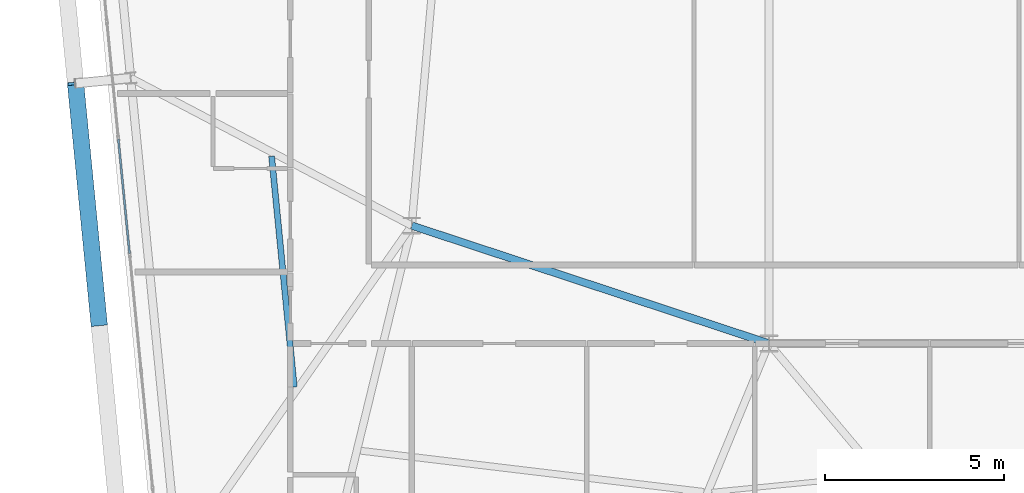
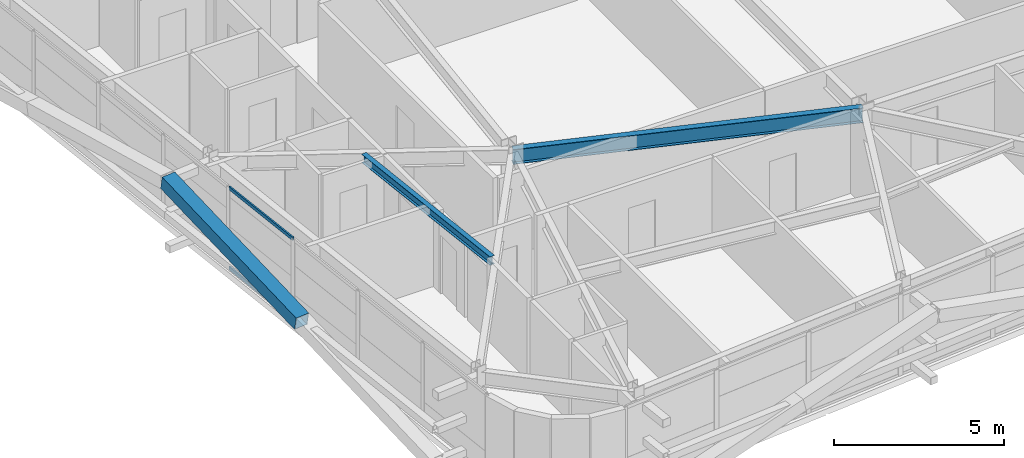
# One storey, part 9 of 53: 3 members, 2 beams, 1 element without a shape of its own.
"""IFC4 building model written with IfcOpenShell, lengths in metres."""

from ifc_helpers import new_model, si_unit, direction, frame, origin, origin_2d, place, context, subcontext, project, spatial, hollow_rectangle, i_section, extrude, source, transform, mapped, material, layer, layer_set, material_profile, profile_set, type_object, element, aggregate, save


model = new_model("IFC4")

# Units and contexts
model_context = context("Model", 3, precision=1e-05, world=origin(), true_north=direction((0.0, 1.0)))
body_context = subcontext(model_context, "Body", "Model", "MODEL_VIEW")
ifc_project = project(units=[si_unit("LENGTHUNIT", "METRE"), si_unit("AREAUNIT", "SQUARE_METRE"), si_unit("VOLUMEUNIT", "CUBIC_METRE"), si_unit("PLANEANGLEUNIT", "RADIAN"), si_unit("MASSUNIT", "GRAM", prefix="KILO")], contexts=[model_context])

# Site, building, storey
site_placement = place(None, origin())
site = spatial("IfcSite", under=ifc_project, at=site_placement, CompositionType="ELEMENT")
building_placement = place(site_placement, origin())
building = spatial("IfcBuilding", under=site, at=building_placement, Name="Taldren Reach Tower", CompositionType="ELEMENT")
storey_placement = place(building_placement, frame((0.0, 0.0, 68.25)))
storey = spatial("IfcBuildingStorey", under=building, at=storey_placement, Name="L20", CompositionType="ELEMENT", Elevation=68.25)

# Beams
ifc_material_1 = material(Name="Steel Gr 350 (350PLUS)", Category="steel")
ifc_material_profile_1 = material_profile(ifc_material_1, i_section(OverallWidth=0.208984375, OverallDepth=0.532958984375, WebThickness=0.01025390625, FlangeThickness=0.015625, at=origin_2d()), Name="530UB92.4")
ifc_profile_set_1 = profile_set([ifc_material_profile_1], Name="Steel Gr 350 (350PLUS)")
beam_type_1 = type_object("IfcBeamType", Name="BM-UB530A", PredefinedType="BEAM", material=ifc_profile_set_1)
shared_shape_1 = source(origin(), body_context, "Body", "SweptSolid", [
    extrude(i_section(OverallWidth=0.208984375, OverallDepth=0.532958984375, WebThickness=0.01025390625, FlangeThickness=0.015625, at=origin_2d()), origin(), (0.0, 0.0, 1.0), 10.530517578125),
])
beam_1_placement = place(storey_placement, frame((18.0, 12.5, 2.66357421875), z_axis=(0.949627269203, -0.313381635689, 0.0), x_axis=(0.313381635689, 0.949627269203, 0.0)))
element("IfcBeam", 1, at=beam_1_placement, inside=storey, type_object=beam_type_1, Name="Core-spine girder L20-SP10", PredefinedType="BEAM", context=body_context, shape_type="MappedRepresentation", body=[
    mapped(shared_shape_1, transform((0.0, 0.0, 0.0), scale=1.0)),
])
ifc_material_2 = material(Name="Steel Gr 300 (300PLUS, 300 MPa)", Category="steel")
ifc_material_profile_2 = material_profile(ifc_material_2, i_section(OverallWidth=0.166015625, OverallDepth=0.306884765625, WebThickness=0.006591796875, FlangeThickness=0.01171875, at=origin_2d()), Name="310UB46.2")
ifc_profile_set_2 = profile_set([ifc_material_profile_2], Name="Steel Gr 300 (300PLUS, 300 MPa)")
beam_type_2 = type_object("IfcBeamType", Name="JS-UB310", PredefinedType="JOIST", material=ifc_profile_set_2)
shared_shape_2 = source(origin(), body_context, "Body", "SweptSolid", [
    extrude(i_section(OverallWidth=0.166015625, OverallDepth=0.306884765625, WebThickness=0.006591796875, FlangeThickness=0.01171875, at=origin_2d()), origin(), (0.0, 0.0, 1.0), 6.489501953125),
])
beam_2_placement = place(storey_placement, frame((14.710693359375, 7.982666015625, 2.776611328125), z_axis=(-0.097588959486, 0.995226805802, 0.0), x_axis=(-0.995226805802, -0.097588959486, 0.0)))
element("IfcBeam", 2, at=beam_2_placement, inside=storey, type_object=beam_type_2, Name="Secondary floor joist B2 J6 L20", PredefinedType="JOIST", context=body_context, shape_type="MappedRepresentation", body=[
    mapped(shared_shape_2, transform((0.0, 0.0, 0.0), scale=1.0)),
])

# Member
ifc_material_3 = material(Name="Steel Gr 450 (C450L0)", Category="steel")
ifc_material_profile_3 = material_profile(ifc_material_3, hollow_rectangle(XDim=0.4599609375, YDim=0.4599609375, WallThickness=0.01611328125, at=origin_2d()), Name="460x460x16.0SHS")
ifc_profile_set_3 = profile_set([ifc_material_profile_3], Name="Steel Gr 450 (C450L0)")
member_type_1 = type_object("IfcMemberType", Name="MB-EXO457", PredefinedType="BRACE", material=ifc_profile_set_3)
shared_shape_3 = source(origin(), body_context, "Body", "SweptSolid", [
    extrude(hollow_rectangle(XDim=0.4599609375, YDim=0.4599609375, WallThickness=0.01611328125, at=origin_2d()), origin(), (0.0, 0.0, 1.0), 6.8828125),
])
member_1_placement = place(storey_placement, frame((9.2490234375, 9.7373046875, 1.43505859375), z_axis=(-0.096055397146, 0.979601884409, 0.176503565804), x_axis=(-0.995226946838, -0.097587521166, 0.0)))
element("IfcMember", 3, at=member_1_placement, inside=storey, type_object=member_type_1, Name="Exoskeleton Diagrid Brace B2-W1 L20", PredefinedType="BRACE", context=body_context, shape_type="MappedRepresentation", body=[
    mapped(shared_shape_3, transform((0.0, 0.0, 0.0), scale=1.0)),
])

# Curtain wall, members
ifc_material_4 = material(Name="Aluminium and Low-E Glass Unitised System", Category="aluminium")
ifc_layer = layer(ifc_material_4, 0.159912109375)
ifc_layer_set = layer_set([ifc_layer], Name="Aluminium and Low-E Glass Unitised System")
curtain_wall_type = type_object("IfcCurtainWallType", Name="CW-SYS-3", PredefinedType="NOTDEFINED", material=ifc_layer_set)
curtain_wall_placement = place(storey_placement, origin())
curtain_wall = element("IfcCurtainWall", 4, at=curtain_wall_placement, inside=storey, type_object=curtain_wall_type, Name="Unitised curtain wall CW-L20-W", PredefinedType="NOTDEFINED")
ifc_material_5 = material(Name="Anodised Aluminium 6063-T6", Category="aluminium")
ifc_material_profile_4 = material_profile(ifc_material_5, hollow_rectangle(XDim=0.054931640625, YDim=0.1201171875, WallThickness=0.0029296875, at=origin_2d()), Name="ALU-120x55x3RHS")
ifc_profile_set_4 = profile_set([ifc_material_profile_4], Name="Anodised Aluminium 6063-T6")
member_type_2 = type_object("IfcMemberType", Name="CW-TRN-135", PredefinedType="USERDEFINED", material=ifc_profile_set_4)
shared_shape_4 = source(origin(), body_context, "Body", "SweptSolid", [
    extrude(hollow_rectangle(XDim=0.054931640625, YDim=0.1201171875, WallThickness=0.0029296875, at=origin_2d()), origin(), (0.0, 0.0, 1.0), 3.212890625),
])
member_2_placement = place(storey_placement, frame((9.7861328125, 14.91796875, 0.027587890625), z_axis=(0.097569948235, -0.995228669805, 0.0), x_axis=(0.995228669805, 0.097569948235, 0.0)))
member_2 = element("IfcMember", 5, at=member_2_placement, type_object=member_type_2, Name="CW-3 transom 6.1", ObjectType="TRANSOM", PredefinedType="USERDEFINED", context=body_context, shape_type="MappedRepresentation", body=[
    mapped(shared_shape_4, transform((0.0, 0.0, 0.0), scale=1.0)),
])
member_3_placement = place(storey_placement, frame((9.7861328125, 14.91796875, 2.902587890625), z_axis=(0.097569948235, -0.995228669805, 0.0), x_axis=(0.995228669805, 0.097569948235, 0.0)))
member_3 = element("IfcMember", 6, at=member_3_placement, type_object=member_type_2, Name="CW-3 transom 6.2", ObjectType="TRANSOM", PredefinedType="USERDEFINED", context=body_context, shape_type="MappedRepresentation", body=[
    mapped(shared_shape_4, transform((0.0, 0.0, 0.0), scale=1.0)),
])
aggregate(curtain_wall, [member_2, member_3])

save(model, "model.ifc")
